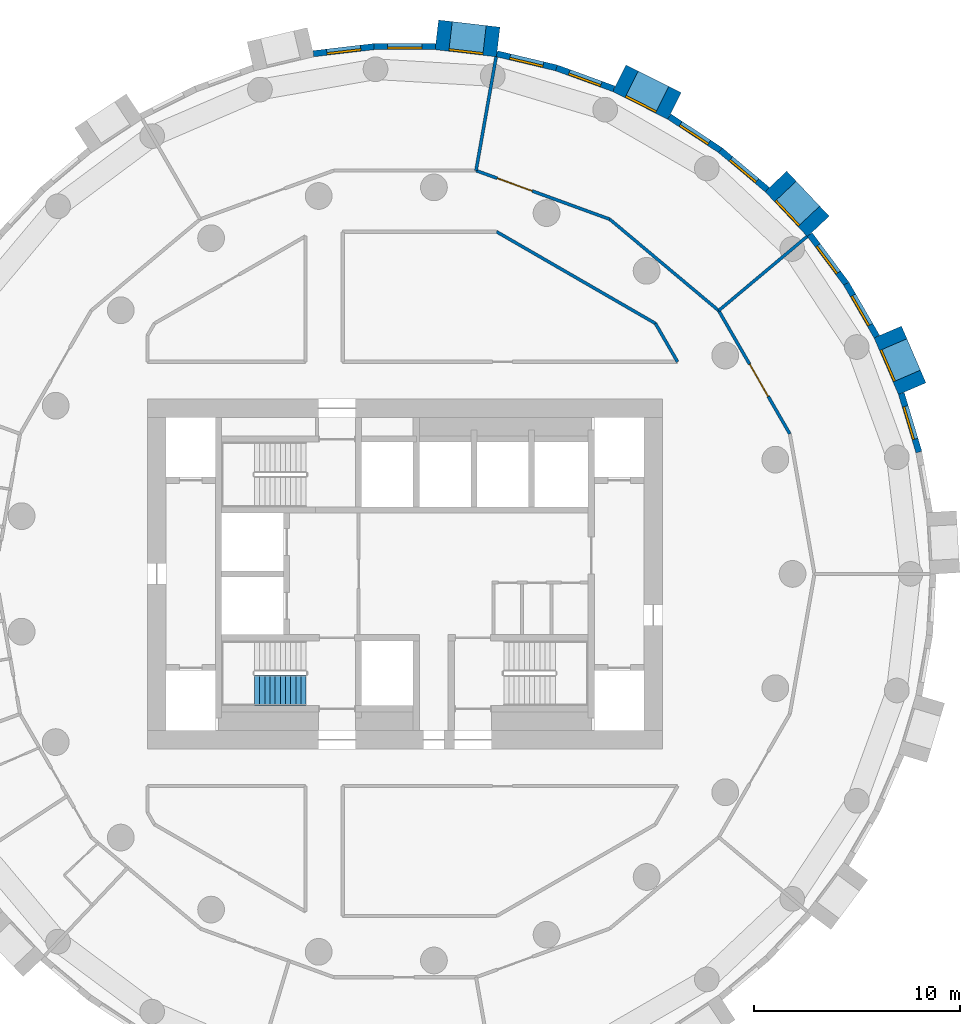
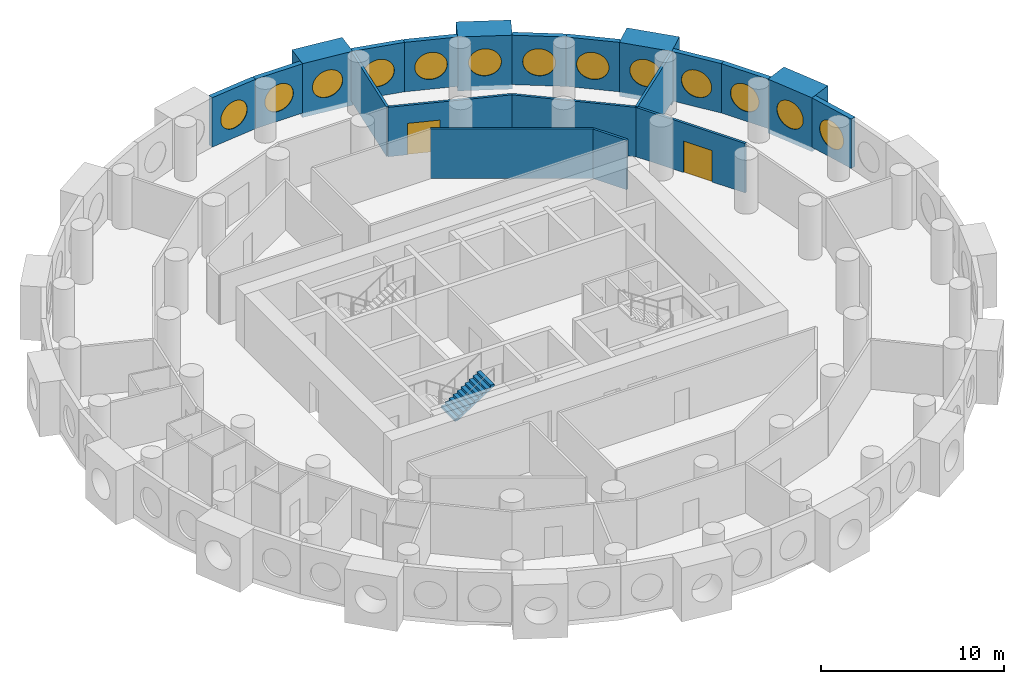
# One storey, part 7 of 9: 20 walls, 13 windows, 2 doors, 1 stair flight, 15 openings, 1 element without a shape of its own.
"""IFC4 building model written with IfcOpenShell, lengths in metres."""

from ifc_helpers import new_model, si_unit, direction, frame, frame_2d, origin, origin_2d, place, context, subcontext, project, spatial, polyline, rectangle, circle, outline, extrude, material, layer, layer_set, type_object, element, fill, aggregate, save


model = new_model("IFC4")

# Units and contexts
model_context = context("Model", 3, precision=1e-05, world=origin(), true_north=direction((0.0, 1.0)))
body_context = subcontext(model_context, "Body", "Model", "MODEL_VIEW")
ifc_project = project(units=[si_unit("LENGTHUNIT", "METRE"), si_unit("AREAUNIT", "SQUARE_METRE"), si_unit("VOLUMEUNIT", "CUBIC_METRE"), si_unit("PLANEANGLEUNIT", "RADIAN"), si_unit("MASSUNIT", "GRAM", prefix="KILO")], contexts=[model_context])

# Site, building, storey
site_placement = place(None, origin())
site = spatial("IfcSite", under=ifc_project, at=site_placement, CompositionType="ELEMENT")
building_placement = place(site_placement, origin())
building = spatial("IfcBuilding", under=site, at=building_placement, Name="Tracery Tower", CompositionType="ELEMENT")
storey_placement = place(building_placement, frame((0.0, 0.0, 201.60009765625)))
storey = spatial("IfcBuildingStorey", under=building, at=storey_placement, Name="L52", CompositionType="ELEMENT", Elevation=201.60009765625)

# Wall, opening, window
ifc_material_1 = material(Name="Precast concrete C50/60", Category="concrete")
ifc_layer_1 = layer(ifc_material_1, 1.449951171875)
ifc_layer_set_1 = layer_set([ifc_layer_1], Name="Deep-set bay unit 3000 x 3600, slab edge 300")
wall_type_1 = type_object("IfcWallType", Name="Deep-set bay unit 3000 x 3600, slab edge 300", PredefinedType="ELEMENTEDWALL", material=ifc_layer_set_1)
wall_1_placement = place(storey_placement, frame((24.632080078125, 8.99169921875, -0.300048828125), z_axis=(0.0, 0.0, 1.0), x_axis=(-0.396079003245, 0.918216435917, 0.0)))
wall_1 = element("IfcWall", 1, at=wall_1_placement, inside=storey, type_object=wall_type_1, Name="Deep-set bay unit 4 at L52", PredefinedType="ELEMENTEDWALL", context=body_context, shape_type="SweptSolid", body=[
    extrude(rectangle(XDim=3.0, YDim=1.449951171875, at=frame_2d((1.5, 0.0))), origin(), (0.0, 0.0, 1.0), 3.599853515625),
])
opening_1_placement = place(wall_1_placement, frame((1.5, 0.0, 1.85009765625)))
opening_1 = element("IfcOpeningElement", 2, at=opening_1_placement, cuts=wall_1, Name="Opening WN1", PredefinedType="OPENING", context=body_context, shape_type="SweptSolid", body=[
    extrude(circle(Radius=0.9000244140625, at=origin_2d()), frame((0.0, 0.73486328125, 0.0), z_axis=(0.0, -1.0, 0.0), x_axis=(1.0, 0.0, 0.0)), (0.0, 0.0, 1.0), 1.469970703125),
])
ifc_material_2 = material(Name="Aluminium frame with tinted double glazing", Category="aluminium")
window_type = type_object("IfcWindowType", Name="Round window 1800", PartitioningType="SINGLE_PANEL", PredefinedType="WINDOW", material=ifc_material_2)
window_1_placement = place(opening_1_placement, origin())
window_1 = element("IfcWindow", 3, at=window_1_placement, inside=storey, type_object=window_type, Name="Round window 4 at L52", OverallHeight=1.800048828125, OverallWidth=1.800048828125, PartitioningType="SINGLE_PANEL", PredefinedType="WINDOW", context=body_context, shape_type="SweptSolid", body=[
    extrude(circle(Radius=0.9000244140625, at=origin_2d()), frame((0.0, 0.69482421875, 0.0), z_axis=(0.0, -1.0, 0.0), x_axis=(1.0, 0.0, 0.0)), (0.0, 0.0, 1.0), 0.10009765625),
])
fill(opening_1, window_1)

wall_2_placement = place(storey_placement, frame((20.0712890625, 16.8740234375, -0.300048828125), z_axis=(0.0, 0.0, 1.0), x_axis=(-0.686217177108, 0.727396718334, 0.0)))
wall_2 = element("IfcWall", 4, at=wall_2_placement, inside=storey, type_object=wall_type_1, Name="Deep-set bay unit 7 at L52", PredefinedType="ELEMENTEDWALL", context=body_context, shape_type="SweptSolid", body=[
    extrude(rectangle(XDim=3.0, YDim=1.449951171875, at=frame_2d((1.5, 0.0))), origin(), (0.0, 0.0, 1.0), 3.599853515625),
])
opening_2_placement = place(wall_2_placement, frame((1.5, 0.0, 1.85009765625)))
opening_2 = element("IfcOpeningElement", 5, at=opening_2_placement, cuts=wall_2, Name="Opening WN1", PredefinedType="OPENING", context=body_context, shape_type="SweptSolid", body=[
    extrude(circle(Radius=0.9000244140625, at=origin_2d()), frame((0.0, 0.73486328125, 0.0), z_axis=(0.0, -1.0, 0.0), x_axis=(1.0, 0.0, 0.0)), (0.0, 0.0, 1.0), 1.469970703125),
])
window_2_placement = place(opening_2_placement, origin())
window_2 = element("IfcWindow", 6, at=window_2_placement, inside=storey, type_object=window_type, Name="Round window 7 at L52", OverallHeight=1.800048828125, OverallWidth=1.800048828125, PartitioningType="SINGLE_PANEL", PredefinedType="WINDOW", context=body_context, shape_type="SweptSolid", body=[
    extrude(circle(Radius=0.9000244140625, at=origin_2d()), frame((0.0, 0.69482421875, 0.0), z_axis=(0.0, -1.0, 0.0), x_axis=(1.0, 0.0, 0.0)), (0.0, 0.0, 1.0), 0.10009765625),
])
fill(opening_2, window_2)

wall_3_placement = place(storey_placement, frame((13.089599609375, 22.72119140625, -0.300048828125), z_axis=(0.0, 0.0, 1.0), x_axis=(-0.893628249713, 0.448807922518, 0.0)))
wall_3 = element("IfcWall", 7, at=wall_3_placement, inside=storey, type_object=wall_type_1, Name="Deep-set bay unit 10 at L52", PredefinedType="ELEMENTEDWALL", context=body_context, shape_type="SweptSolid", body=[
    extrude(rectangle(XDim=3.0, YDim=1.449951171875, at=frame_2d((1.5, 0.0))), origin(), (0.0, 0.0, 1.0), 3.599853515625),
])
opening_3_placement = place(wall_3_placement, frame((1.5, 0.0, 1.85009765625)))
opening_3 = element("IfcOpeningElement", 8, at=opening_3_placement, cuts=wall_3, Name="Opening WN1", PredefinedType="OPENING", context=body_context, shape_type="SweptSolid", body=[
    extrude(circle(Radius=0.9000244140625, at=origin_2d()), frame((0.0, 0.73486328125, 0.0), z_axis=(0.0, -1.0, 0.0), x_axis=(1.0, 0.0, 0.0)), (0.0, 0.0, 1.0), 1.469970703125),
])
window_3_placement = place(opening_3_placement, origin())
window_3 = element("IfcWindow", 9, at=window_3_placement, inside=storey, type_object=window_type, Name="Round window 10 at L52", OverallHeight=1.800048828125, OverallWidth=1.800048828125, PartitioningType="SINGLE_PANEL", PredefinedType="WINDOW", context=body_context, shape_type="SweptSolid", body=[
    extrude(circle(Radius=0.9000244140625, at=origin_2d()), frame((0.0, 0.69482421875, 0.0), z_axis=(0.0, -1.0, 0.0), x_axis=(1.0, 0.0, 0.0)), (0.0, 0.0, 1.0), 0.10009765625),
])
fill(opening_3, window_3)

wall_4_placement = place(storey_placement, frame((4.529052734375, 25.827880859375, -0.300048828125), z_axis=(0.0, 0.0, 1.0), x_axis=(-0.9932342274, 0.116128246006, 0.0)))
wall_4 = element("IfcWall", 10, at=wall_4_placement, inside=storey, type_object=wall_type_1, Name="Deep-set bay unit 13 at L52", PredefinedType="ELEMENTEDWALL", context=body_context, shape_type="SweptSolid", body=[
    extrude(rectangle(XDim=3.0, YDim=1.449951171875, at=frame_2d((1.5, 0.0))), origin(), (0.0, 0.0, 1.0), 3.599853515625),
])
opening_4_placement = place(wall_4_placement, frame((1.5, 0.0, 1.85009765625)))
opening_4 = element("IfcOpeningElement", 11, at=opening_4_placement, cuts=wall_4, Name="Opening WN1", PredefinedType="OPENING", context=body_context, shape_type="SweptSolid", body=[
    extrude(circle(Radius=0.9000244140625, at=origin_2d()), frame((0.0, 0.73486328125, 0.0), z_axis=(0.0, -1.0, 0.0), x_axis=(1.0, 0.0, 0.0)), (0.0, 0.0, 1.0), 1.469970703125),
])
window_4_placement = place(opening_4_placement, origin())
window_4 = element("IfcWindow", 12, at=window_4_placement, inside=storey, type_object=window_type, Name="Round window 13 at L52", OverallHeight=1.800048828125, OverallWidth=1.800048828125, PartitioningType="SINGLE_PANEL", PredefinedType="WINDOW", context=body_context, shape_type="SweptSolid", body=[
    extrude(circle(Radius=0.9000244140625, at=origin_2d()), frame((0.0, 0.69482421875, 0.0), z_axis=(0.0, -1.0, 0.0), x_axis=(1.0, 0.0, 0.0)), (0.0, 0.0, 1.0), 0.10009765625),
])
fill(opening_4, window_4)

ifc_material_3 = material(Name="Precast concrete C50/60", Category="concrete")
ifc_layer_2 = layer(ifc_material_3, 0.300048828125)
ifc_layer_set_2 = layer_set([ifc_layer_2], Name="Facade panel 3000 x 3300")
wall_type_2 = type_object("IfcWallType", Name="Facade panel 3000 x 3300", PredefinedType="SOLIDWALL", material=ifc_layer_set_2)
wall_5_placement = place(storey_placement, frame((24.9560546875, 5.914794921875, 0.0), z_axis=(0.0, 0.0, 1.0), x_axis=(-0.286782750849, 0.957995643944, 0.0)))
wall_5 = element("IfcWall", 13, at=wall_5_placement, inside=storey, type_object=wall_type_2, Name="Facade panel 3 at L52", PredefinedType="SOLIDWALL", context=body_context, shape_type="SweptSolid", body=[
    extrude(rectangle(XDim=2.97265625, YDim=0.300048828125, at=frame_2d((1.486328125, 0.0))), origin(), (0.0, 0.0, 1.0), 3.2998046875),
])
opening_5_placement = place(wall_5_placement, frame((1.486328125, 0.0, 1.5498046875)))
opening_5 = element("IfcOpeningElement", 14, at=opening_5_placement, cuts=wall_5, Name="Opening WN1", PredefinedType="OPENING", context=body_context, shape_type="SweptSolid", body=[
    extrude(circle(Radius=0.9000244140625, at=origin_2d()), frame((0.0, 0.159912109375, 0.0), z_axis=(0.0, -1.0, 0.0), x_axis=(1.0, 0.0, 0.0)), (0.0, 0.0, 1.0), 0.320068359375),
])
window_5_placement = place(opening_5_placement, origin())
window_5 = element("IfcWindow", 15, at=window_5_placement, inside=storey, type_object=window_type, Name="Round window 3 at L52", OverallHeight=1.800048828125, OverallWidth=1.800048828125, PartitioningType="SINGLE_PANEL", PredefinedType="WINDOW", context=body_context, shape_type="SweptSolid", body=[
    extrude(circle(Radius=0.9000244140625, at=origin_2d()), frame((0.0, 0.1201171875, 0.0), z_axis=(0.0, -1.0, 0.0), x_axis=(1.0, 0.0, 0.0)), (0.0, 0.0, 1.0), 0.10009765625),
])
fill(opening_5, window_5)

wall_6_placement = place(storey_placement, frame((22.91455078125, 11.518798828125, 0.0), z_axis=(0.0, 0.0, 1.0), x_axis=(-0.499954672104, 0.866051572276, 0.0)))
wall_6 = element("IfcWall", 16, at=wall_6_placement, inside=storey, type_object=wall_type_2, Name="Facade panel 5 at L52", PredefinedType="SOLIDWALL", context=body_context, shape_type="SweptSolid", body=[
    extrude(rectangle(XDim=2.972900390625, YDim=0.300048828125, at=frame_2d((1.486328125, 0.0))), origin(), (0.0, 0.0, 1.0), 3.2998046875),
])
opening_6_placement = place(wall_6_placement, frame((1.486328125, 0.0, 1.5498046875)))
opening_6 = element("IfcOpeningElement", 17, at=opening_6_placement, cuts=wall_6, Name="Opening WN1", PredefinedType="OPENING", context=body_context, shape_type="SweptSolid", body=[
    extrude(circle(Radius=0.9000244140625, at=origin_2d()), frame((0.0, 0.159912109375, 0.0), z_axis=(0.0, -1.0, 0.0), x_axis=(1.0, 0.0, 0.0)), (0.0, 0.0, 1.0), 0.320068359375),
])
window_6_placement = place(opening_6_placement, origin())
window_6 = element("IfcWindow", 18, at=window_6_placement, inside=storey, type_object=window_type, Name="Round window 5 at L52", OverallHeight=1.800048828125, OverallWidth=1.800048828125, PartitioningType="SINGLE_PANEL", PredefinedType="WINDOW", context=body_context, shape_type="SweptSolid", body=[
    extrude(circle(Radius=0.9000244140625, at=origin_2d()), frame((0.0, 0.1201171875, 0.0), z_axis=(0.0, -1.0, 0.0), x_axis=(1.0, 0.0, 0.0)), (0.0, 0.0, 1.0), 0.10009765625),
])
fill(opening_6, window_6)

wall_7_placement = place(storey_placement, frame((21.42822265625, 14.093505859375, 0.0), z_axis=(0.0, 0.0, 1.0), x_axis=(-0.597197580538, 0.80209416517, 0.0)))
wall_7 = element("IfcWall", 19, at=wall_7_placement, inside=storey, type_object=wall_type_2, Name="Facade panel 6 at L52", PredefinedType="SOLIDWALL", context=body_context, shape_type="SweptSolid", body=[
    extrude(rectangle(XDim=2.972900390625, YDim=0.300048828125, at=frame_2d((1.486328125, 0.0))), origin(), (0.0, 0.0, 1.0), 3.2998046875),
])
opening_7_placement = place(wall_7_placement, frame((1.486328125, 0.0, 1.5498046875)))
opening_7 = element("IfcOpeningElement", 20, at=opening_7_placement, cuts=wall_7, Name="Opening WN1", PredefinedType="OPENING", context=body_context, shape_type="SweptSolid", body=[
    extrude(circle(Radius=0.9000244140625, at=origin_2d()), frame((0.0, 0.159912109375, 0.0), z_axis=(0.0, -1.0, 0.0), x_axis=(1.0, 0.0, 0.0)), (0.0, 0.0, 1.0), 0.320068359375),
])
window_7_placement = place(opening_7_placement, origin())
window_7 = element("IfcWindow", 21, at=window_7_placement, inside=storey, type_object=window_type, Name="Round window 6 at L52", OverallHeight=1.800048828125, OverallWidth=1.800048828125, PartitioningType="SINGLE_PANEL", PredefinedType="WINDOW", context=body_context, shape_type="SweptSolid", body=[
    extrude(circle(Radius=0.9000244140625, at=origin_2d()), frame((0.0, 0.1201171875, 0.0), z_axis=(0.0, -1.0, 0.0), x_axis=(1.0, 0.0, 0.0)), (0.0, 0.0, 1.0), 0.10009765625),
])
fill(opening_7, window_7)

wall_8_placement = place(storey_placement, frame((17.593017578125, 18.661376953125, 0.0), z_axis=(0.0, 0.0, 1.0), x_axis=(-0.766008913364, 0.642829950023, 0.0)))
wall_8 = element("IfcWall", 22, at=wall_8_placement, inside=storey, type_object=wall_type_2, Name="Facade panel 8 at L52", PredefinedType="SOLIDWALL", context=body_context, shape_type="SweptSolid", body=[
    extrude(rectangle(XDim=2.972900390625, YDim=0.300048828125, at=frame_2d((1.486328125, 0.0))), origin(), (0.0, 0.0, 1.0), 3.2998046875),
])
opening_8_placement = place(wall_8_placement, frame((1.486328125, 0.0, 1.5498046875)))
opening_8 = element("IfcOpeningElement", 23, at=opening_8_placement, cuts=wall_8, Name="Opening WN1", PredefinedType="OPENING", context=body_context, shape_type="SweptSolid", body=[
    extrude(circle(Radius=0.9000244140625, at=origin_2d()), frame((0.0, 0.159912109375, 0.0), z_axis=(0.0, -1.0, 0.0), x_axis=(1.0, 0.0, 0.0)), (0.0, 0.0, 1.0), 0.320068359375),
])
window_8_placement = place(opening_8_placement, origin())
window_8 = element("IfcWindow", 24, at=window_8_placement, inside=storey, type_object=window_type, Name="Round window 8 at L52", OverallHeight=1.800048828125, OverallWidth=1.800048828125, PartitioningType="SINGLE_PANEL", PredefinedType="WINDOW", context=body_context, shape_type="SweptSolid", body=[
    extrude(circle(Radius=0.9000244140625, at=origin_2d()), frame((0.0, 0.1201171875, 0.0), z_axis=(0.0, -1.0, 0.0), x_axis=(1.0, 0.0, 0.0)), (0.0, 0.0, 1.0), 0.10009765625),
])
fill(opening_8, window_8)

wall_9_placement = place(storey_placement, frame((15.315673828125, 20.572509765625, 0.0), z_axis=(0.0, 0.0, 1.0), x_axis=(-0.835508361394, 0.54947773207, 0.0)))
wall_9 = element("IfcWall", 25, at=wall_9_placement, inside=storey, type_object=wall_type_2, Name="Facade panel 9 at L52", PredefinedType="SOLIDWALL", context=body_context, shape_type="SweptSolid", body=[
    extrude(rectangle(XDim=2.972900390625, YDim=0.300048828125, at=frame_2d((1.486328125, 0.0))), origin(), (0.0, 0.0, 1.0), 3.2998046875),
])
opening_9_placement = place(wall_9_placement, frame((1.486328125, 0.0, 1.5498046875)))
opening_9 = element("IfcOpeningElement", 26, at=opening_9_placement, cuts=wall_9, Name="Opening WN1", PredefinedType="OPENING", context=body_context, shape_type="SweptSolid", body=[
    extrude(circle(Radius=0.9000244140625, at=origin_2d()), frame((0.0, 0.159912109375, 0.0), z_axis=(0.0, -1.0, 0.0), x_axis=(1.0, 0.0, 0.0)), (0.0, 0.0, 1.0), 0.320068359375),
])
window_9_placement = place(opening_9_placement, origin())
window_9 = element("IfcWindow", 27, at=window_9_placement, inside=storey, type_object=window_type, Name="Round window 9 at L52", OverallHeight=1.800048828125, OverallWidth=1.800048828125, PartitioningType="SINGLE_PANEL", PredefinedType="WINDOW", context=body_context, shape_type="SweptSolid", body=[
    extrude(circle(Radius=0.9000244140625, at=origin_2d()), frame((0.0, 0.1201171875, 0.0), z_axis=(0.0, -1.0, 0.0), x_axis=(1.0, 0.0, 0.0)), (0.0, 0.0, 1.0), 0.10009765625),
])
fill(opening_9, window_9)

wall_10_placement = place(storey_placement, frame((10.1494140625, 23.55322265625, 0.0), z_axis=(0.0, 0.0, 1.0), x_axis=(-0.939690282133, 0.342026568652, 0.0)))
wall_10 = element("IfcWall", 28, at=wall_10_placement, inside=storey, type_object=wall_type_2, Name="Facade panel 11 at L52", PredefinedType="SOLIDWALL", context=body_context, shape_type="SweptSolid", body=[
    extrude(rectangle(XDim=2.972900390625, YDim=0.300048828125, at=frame_2d((1.486328125, 0.0))), origin(), (0.0, 0.0, 1.0), 3.2998046875),
])
opening_10_placement = place(wall_10_placement, frame((1.486328125, 0.0, 1.5498046875)))
opening_10 = element("IfcOpeningElement", 29, at=opening_10_placement, cuts=wall_10, Name="Opening WN1", PredefinedType="OPENING", context=body_context, shape_type="SweptSolid", body=[
    extrude(circle(Radius=0.9000244140625, at=origin_2d()), frame((0.0, 0.159912109375, 0.0), z_axis=(0.0, -1.0, 0.0), x_axis=(1.0, 0.0, 0.0)), (0.0, 0.0, 1.0), 0.320068359375),
])
window_10_placement = place(opening_10_placement, origin())
window_10 = element("IfcWindow", 30, at=window_10_placement, inside=storey, type_object=window_type, Name="Round window 11 at L52", OverallHeight=1.800048828125, OverallWidth=1.800048828125, PartitioningType="SINGLE_PANEL", PredefinedType="WINDOW", context=body_context, shape_type="SweptSolid", body=[
    extrude(circle(Radius=0.9000244140625, at=origin_2d()), frame((0.0, 0.1201171875, 0.0), z_axis=(0.0, -1.0, 0.0), x_axis=(1.0, 0.0, 0.0)), (0.0, 0.0, 1.0), 0.10009765625),
])
fill(opening_10, window_10)

wall_11_placement = place(storey_placement, frame((7.355712890625, 24.570068359375, 0.0), z_axis=(0.0, 0.0, 1.0), x_axis=(-0.973045378923, 0.230613725862, 0.0)))
wall_11 = element("IfcWall", 31, at=wall_11_placement, inside=storey, type_object=wall_type_2, Name="Facade panel 12 at L52", PredefinedType="SOLIDWALL", context=body_context, shape_type="SweptSolid", body=[
    extrude(rectangle(XDim=2.97265625, YDim=0.300048828125, at=frame_2d((1.486328125, 0.0))), origin(), (0.0, 0.0, 1.0), 3.2998046875),
])
opening_11_placement = place(wall_11_placement, frame((1.486328125, 0.0, 1.5498046875)))
opening_11 = element("IfcOpeningElement", 32, at=opening_11_placement, cuts=wall_11, Name="Opening WN1", PredefinedType="OPENING", context=body_context, shape_type="SweptSolid", body=[
    extrude(circle(Radius=0.9000244140625, at=origin_2d()), frame((0.0, 0.159912109375, 0.0), z_axis=(0.0, -1.0, 0.0), x_axis=(1.0, 0.0, 0.0)), (0.0, 0.0, 1.0), 0.320068359375),
])
window_11_placement = place(opening_11_placement, origin())
window_11 = element("IfcWindow", 33, at=window_11_placement, inside=storey, type_object=window_type, Name="Round window 12 at L52", OverallHeight=1.800048828125, OverallWidth=1.800048828125, PartitioningType="SINGLE_PANEL", PredefinedType="WINDOW", context=body_context, shape_type="SweptSolid", body=[
    extrude(circle(Radius=0.9000244140625, at=origin_2d()), frame((0.0, 0.1201171875, 0.0), z_axis=(0.0, -1.0, 0.0), x_axis=(1.0, 0.0, 0.0)), (0.0, 0.0, 1.0), 0.10009765625),
])
fill(opening_11, window_11)

wall_12_placement = place(storey_placement, frame((1.481689453125, 25.60400390625, 0.0), z_axis=(0.0, 0.0, 1.0), x_axis=(-1.0, 0.0, 0.0)))
wall_12 = element("IfcWall", 34, at=wall_12_placement, inside=storey, type_object=wall_type_2, Name="Facade panel 14 at L52", PredefinedType="SOLIDWALL", context=body_context, shape_type="SweptSolid", body=[
    extrude(rectangle(XDim=2.972900390625, YDim=0.300048828125, at=frame_2d((1.486328125, 0.0))), origin(), (0.0, 0.0, 1.0), 3.2998046875),
])
opening_12_placement = place(wall_12_placement, frame((1.486328125, 0.0, 1.5498046875)))
opening_12 = element("IfcOpeningElement", 35, at=opening_12_placement, cuts=wall_12, Name="Opening WN1", PredefinedType="OPENING", context=body_context, shape_type="SweptSolid", body=[
    extrude(circle(Radius=0.9000244140625, at=origin_2d()), frame((0.0, 0.159912109375, 0.0), z_axis=(0.0, -1.0, 0.0), x_axis=(1.0, 0.0, 0.0)), (0.0, 0.0, 1.0), 0.320068359375),
])
window_12_placement = place(opening_12_placement, origin())
window_12 = element("IfcWindow", 36, at=window_12_placement, inside=storey, type_object=window_type, Name="Round window 14 at L52", OverallHeight=1.800048828125, OverallWidth=1.800048828125, PartitioningType="SINGLE_PANEL", PredefinedType="WINDOW", context=body_context, shape_type="SweptSolid", body=[
    extrude(circle(Radius=0.9000244140625, at=origin_2d()), frame((0.0, 0.1201171875, 0.0), z_axis=(0.0, -1.0, 0.0), x_axis=(1.0, 0.0, 0.0)), (0.0, 0.0, 1.0), 0.10009765625),
])
fill(opening_12, window_12)

wall_13_placement = place(storey_placement, frame((-1.4912109375, 25.60400390625, 0.0), z_axis=(0.0, 0.0, 1.0), x_axis=(-0.993245010522, -0.1160359818, 0.0)))
wall_13 = element("IfcWall", 37, at=wall_13_placement, inside=storey, type_object=wall_type_2, Name="Facade panel 15 at L52", PredefinedType="SOLIDWALL", context=body_context, shape_type="SweptSolid", body=[
    extrude(rectangle(XDim=2.972900390625, YDim=0.300048828125, at=frame_2d((1.486328125, 0.0))), origin(), (0.0, 0.0, 1.0), 3.2998046875),
])
opening_13_placement = place(wall_13_placement, frame((1.486328125, 0.0, 1.5498046875)))
opening_13 = element("IfcOpeningElement", 38, at=opening_13_placement, cuts=wall_13, Name="Opening WN1", PredefinedType="OPENING", context=body_context, shape_type="SweptSolid", body=[
    extrude(circle(Radius=0.9000244140625, at=origin_2d()), frame((0.0, 0.159912109375, 0.0), z_axis=(0.0, -1.0, 0.0), x_axis=(1.0, 0.0, 0.0)), (0.0, 0.0, 1.0), 0.320068359375),
])
window_13_placement = place(opening_13_placement, origin())
window_13 = element("IfcWindow", 39, at=window_13_placement, inside=storey, type_object=window_type, Name="Round window 15 at L52", OverallHeight=1.800048828125, OverallWidth=1.800048828125, PartitioningType="SINGLE_PANEL", PredefinedType="WINDOW", context=body_context, shape_type="SweptSolid", body=[
    extrude(circle(Radius=0.9000244140625, at=origin_2d()), frame((0.0, 0.1201171875, 0.0), z_axis=(0.0, -1.0, 0.0), x_axis=(1.0, 0.0, 0.0)), (0.0, 0.0, 1.0), 0.10009765625),
])
fill(opening_13, window_13)

# Walls
ifc_material_4 = material(Name="Plasterboard on steel studs", Category="steel")
ifc_layer_3 = layer(ifc_material_4, 0.14990234375)
ifc_layer_set_3 = layer_set([ifc_layer_3], Name="Partition 150 acoustic unit wall")
wall_type_3 = type_object("IfcWallType", Name="Partition 150 acoustic unit wall", PredefinedType="PARTITIONING", material=ifc_layer_set_3)
wall_14_placement = place(storey_placement, frame((15.235107421875, 12.783935546875, 0.0), z_axis=(0.0, 0.0, 1.0), x_axis=(0.76609059793, 0.642732600514, 0.0)))
element("IfcWall", 40, at=wall_14_placement, inside=storey, type_object=wall_type_3, Name="Unit wall RB8-040", PredefinedType="PARTITIONING", context=body_context, shape_type="SweptSolid", body=[
    extrude(rectangle(XDim=5.60888671875, YDim=0.14990234375, at=frame_2d((2.804443359375, 0.0))), origin(), (0.0, 0.0, 1.0), 3.2998046875),
])
wall_15_placement = place(storey_placement, frame((3.452880859375, 19.5859375, 0.0), z_axis=(0.0, 0.0, 1.0), x_axis=(0.17382754149, 0.984776109489, 0.0)))
element("IfcWall", 41, at=wall_15_placement, inside=storey, type_object=wall_type_3, Name="Unit wall RB8-042", PredefinedType="PARTITIONING", context=body_context, shape_type="SweptSolid", body=[
    extrude(rectangle(XDim=5.609619140625, YDim=0.14990234375, at=frame_2d((2.8046875, 0.0))), origin(), (0.0, 0.0, 1.0), 3.2998046875),
])
ifc_material_5 = material(Name="Plasterboard on steel studs", Category="steel")
ifc_layer_4 = layer(ifc_material_5, 0.14990234375)
ifc_layer_set_4 = layer_set([ifc_layer_4], Name="Partition 150 corridor wall")
wall_type_4 = type_object("IfcWallType", Name="Partition 150 corridor wall", PredefinedType="PARTITIONING", material=ifc_layer_set_4)
wall_16_placement = place(storey_placement, frame((12.162109375, 12.162109375, 0.0), z_axis=(0.0, 0.0, 1.0), x_axis=(0.499961633463, -0.866047553582, 0.0)))
element("IfcWall", 42, at=wall_16_placement, inside=storey, type_object=wall_type_4, Name="Corridor wall RB8-005", PredefinedType="PARTITIONING", context=body_context, shape_type="SweptSolid", body=[
    extrude(rectangle(XDim=2.150146484375, YDim=0.14990234375, at=frame_2d((1.0751953125, 0.0))), origin(), (0.0, 0.0, 1.0), 3.2998046875),
])

# Wall, opening, door
wall_17_placement = place(storey_placement, frame((15.235107421875, 12.783935546875, 0.0), z_axis=(0.0, 0.0, 1.0), x_axis=(0.499914202267, -0.866074933462, 0.0)))
wall_17 = element("IfcWall", 43, at=wall_17_placement, inside=storey, type_object=wall_type_4, Name="Corridor wall RB8-007", PredefinedType="PARTITIONING", context=body_context, shape_type="SweptSolid", body=[
    extrude(rectangle(XDim=6.906982421875, YDim=0.14990234375, at=frame_2d((3.45361328125, 0.0))), origin(), (0.0, 0.0, 1.0), 3.2998046875),
])
opening_14_placement = place(wall_17_placement, frame((3.00390625, 0.0, 0.0)))
opening_14 = element("IfcOpeningElement", 44, at=opening_14_placement, cuts=wall_17, Name="Opening RB8-05", PredefinedType="OPENING", context=body_context, shape_type="SweptSolid", body=[
    extrude(rectangle(XDim=1.800048828125, YDim=2.10009765625, at=frame_2d((0.89990234375, 1.050048828125))), frame((0.0, 0.074951171875, 0.0), z_axis=(0.0, -1.0, 0.0), x_axis=(1.0, 0.0, 0.0)), (0.0, 0.0, 1.0), 0.14990234375),
])
ifc_material_6 = material(Name="Timber door leaf", Category="wood")
door_type = type_object("IfcDoorType", Name="Door double lounge 1800", OperationType="NOTDEFINED", PredefinedType="DOOR", material=ifc_material_6)
door_1_placement = place(opening_14_placement, origin())
door_1 = element("IfcDoor", 45, at=door_1_placement, inside=storey, type_object=door_type, Name="Double lounge door RB8-05", OperationType="DOUBLE_DOOR_SINGLE_SWING", OverallHeight=2.10009765625, OverallWidth=1.800048828125, PredefinedType="DOOR", context=body_context, shape_type="SweptSolid", body=[
    extrude(rectangle(XDim=1.800048828125, YDim=2.10009765625, at=frame_2d((0.89990234375, 1.050048828125))), frame((0.0, 0.02490234375, 0.0), z_axis=(0.0, -1.0, 0.0), x_axis=(1.0, 0.0, 0.0)), (0.0, 0.0, 1.0), 0.050048828125),
])
fill(opening_14, door_1)

# Walls
wall_18_placement = place(storey_placement, frame((9.943359375, 17.22216796875, 0.0), z_axis=(0.0, 0.0, 1.0), x_axis=(0.766192104565, -0.642611592567, 0.0)))
element("IfcWall", 46, at=wall_18_placement, inside=storey, type_object=wall_type_4, Name="Corridor wall RB8-009", PredefinedType="PARTITIONING", context=body_context, shape_type="SweptSolid", body=[
    extrude(rectangle(XDim=6.906494140625, YDim=0.14990234375, at=frame_2d((3.453125, 0.0))), origin(), (0.0, 0.0, 1.0), 3.2998046875),
])
wall_19_placement = place(storey_placement, frame((4.451904296875, 16.614013671875, 0.0), z_axis=(0.0, 0.0, 1.0), x_axis=(0.866005203721, -0.500034985904, 0.0)))
element("IfcWall", 47, at=wall_19_placement, inside=storey, type_object=wall_type_4, Name="Corridor wall RB8-015", PredefinedType="PARTITIONING", context=body_context, shape_type="SweptSolid", body=[
    extrude(rectangle(XDim=8.903076171875, YDim=0.14990234375, at=frame_2d((4.45166015625, 0.0))), origin(), (0.0, 0.0, 1.0), 3.2998046875),
])

# Wall, opening, door
wall_20_placement = place(storey_placement, frame((3.452880859375, 19.5859375, 0.0), z_axis=(0.0, 0.0, 1.0), x_axis=(0.939672634566, -0.342075050021, 0.0)))
wall_20 = element("IfcWall", 48, at=wall_20_placement, inside=storey, type_object=wall_type_4, Name="Corridor wall RB8-018", PredefinedType="PARTITIONING", context=body_context, shape_type="SweptSolid", body=[
    extrude(rectangle(XDim=6.907958984375, YDim=0.14990234375, at=frame_2d((3.4541015625, 0.0))), origin(), (0.0, 0.0, 1.0), 3.2998046875),
])
opening_15_placement = place(wall_20_placement, frame((1.10400390625, 0.0, 0.0)))
opening_15 = element("IfcOpeningElement", 49, at=opening_15_placement, cuts=wall_20, Name="Opening RB8-06", PredefinedType="OPENING", context=body_context, shape_type="SweptSolid", body=[
    extrude(rectangle(XDim=1.800048828125, YDim=2.10009765625, at=frame_2d((0.89990234375, 1.050048828125))), frame((0.0, 0.074951171875, 0.0), z_axis=(0.0, -1.0, 0.0), x_axis=(1.0, 0.0, 0.0)), (0.0, 0.0, 1.0), 0.14990234375),
])
door_2_placement = place(opening_15_placement, origin())
door_2 = element("IfcDoor", 50, at=door_2_placement, inside=storey, type_object=door_type, Name="Double lounge door RB8-06", OperationType="DOUBLE_DOOR_SINGLE_SWING", OverallHeight=2.10009765625, OverallWidth=1.800048828125, PredefinedType="DOOR", context=body_context, shape_type="SweptSolid", body=[
    extrude(rectangle(XDim=1.800048828125, YDim=2.10009765625, at=frame_2d((0.89990234375, 1.050048828125))), frame((0.0, 0.02490234375, 0.0), z_axis=(0.0, -1.0, 0.0), x_axis=(1.0, 0.0, 0.0)), (0.0, 0.0, 1.0), 0.050048828125),
])
fill(opening_15, door_2)

# Stair, stair flight
ifc_material_7 = material(Name="Concrete C32/40", Category="concrete")
stair_type = type_object("IfcStairType", Name="Core stair 22 risers", PredefinedType="HALF_TURN_STAIR", material=ifc_material_7)
stair_placement = place(storey_placement, origin())
stair = element("IfcStair", 51, at=stair_placement, inside=storey, type_object=stair_type, Name="L52 stair ST1", PredefinedType="HALF_TURN_STAIR")
ifc_material_8 = material(Name="Concrete C32/40", Category="concrete")
stair_flight_type = type_object("IfcStairFlightType", Name="Core stair flight 11 risers", PredefinedType="STRAIGHT", material=ifc_material_8)
stair_flight_placement = place(storey_placement, frame((-7.300048828125, -5.64990234375, 1.7998046875), z_axis=(0.0, 0.0, 1.0), x_axis=(1.0, 0.0, 0.0)))
stair_flight = element("IfcStairFlight", 52, at=stair_flight_placement, type_object=stair_flight_type, Name="ST1 flight 2", NumberOfRisers=11, NumberOfTreads=10, PredefinedType="STRAIGHT", RiserHeight=0.163636364, TreadLength=0.25, context=body_context, shape_type="SweptSolid", body=[
    extrude(outline(polyline([(0.0, 0.0), (0.0, 0.002685546875), (0.0, 0.00537109375), (0.0, 0.008056640625), (0.0, 0.0107421875), (0.0, 0.013427734375), (0.0, 0.01611328125), (0.0, 0.018798828125), (0.0, 0.021484375), (0.0, 0.024169921875), (0.0, 0.02685546875), (0.0, 0.029541015625), (0.0, 0.0322265625), (0.0, 0.034912109375), (0.0, 0.03759765625), (0.0, 0.040283203125), (0.0, 0.04296875), (0.0, 0.045654296875), (0.0, 0.04833984375), (0.0, 0.051025390625), (0.0, 0.0537109375), (0.0, 0.056396484375), (0.0, 0.05908203125), (0.0, 0.061767578125), (0.0, 0.064453125), (0.0, 0.067138671875), (0.0, 0.06982421875), (0.0, 0.072509765625), (0.0, 0.0751953125), (0.0, 0.077880859375), (0.0, 0.08056640625), (0.0, 0.083251953125), (0.0, 0.0859375), (0.0, 0.088623046875), (0.0, 0.09130859375), (0.0, 0.093994140625), (0.0, 0.0966796875), (0.0, 0.099365234375), (0.0, 0.10205078125), (0.0, 0.104736328125), (0.0, 0.107421875), (0.0, 0.10986328125), (0.0, 0.112548828125), (0.0, 0.115234375), (0.0, 0.117919921875), (0.0, 0.12060546875), (0.0, 0.123291015625), (0.0, 0.1259765625), (0.0, 0.128662109375), (0.0, 0.13134765625), (0.0, 0.134033203125), (0.0, 0.13671875), (0.0, 0.139404296875), (0.0, 0.14208984375), (0.0, 0.144775390625), (0.0, 0.1474609375), (0.0, 0.150146484375), (0.0, 0.15283203125), (0.0, 0.155517578125), (0.0, 0.158203125), (0.0, 0.160888671875), (0.0, 0.16357421875), (0.25, 0.16357421875), (0.25, 0.327392578125), (0.5, 0.327392578125), (0.5, 0.490966796875), (0.75, 0.490966796875), (0.75, 0.654541015625), (1.0, 0.654541015625), (1.0, 0.818115234375), (1.25, 0.818115234375), (1.25, 0.98193359375), (1.5, 0.98193359375), (1.5, 1.1455078125), (1.75, 1.1455078125), (1.75, 1.30908203125), (2.0, 1.30908203125), (2.0, 1.47265625), (2.25, 1.47265625), (2.25, 1.636474609375), (2.5, 1.636474609375), (2.5, 1.634521484375), (2.5, 1.63232421875), (2.5, 1.63037109375), (2.5, 1.62841796875), (2.5, 1.62646484375), (2.5, 1.62451171875), (2.5, 1.62255859375), (2.5, 1.62060546875), (2.5, 1.61865234375), (2.5, 1.61669921875), (2.5, 1.61474609375), (2.5, 1.61279296875), (2.5, 1.61083984375), (2.5, 1.60888671875), (2.5, 1.60693359375), (2.5, 1.60498046875), (2.5, 1.60302734375), (2.5, 1.60107421875), (2.5, 1.59912109375), (2.5, 1.59716796875), (2.5, 1.59521484375), (2.5, 1.59326171875), (2.5, 1.59130859375), (2.5, 1.58935546875), (2.5, 1.58740234375), (2.5, 1.58544921875), (2.5, 1.58349609375), (2.5, 1.58154296875), (2.5, 1.57958984375), (2.5, 1.57763671875), (2.5, 1.57568359375), (2.5, 1.573486328125), (2.5, 1.571533203125), (2.5, 1.569580078125), (2.5, 1.567626953125), (2.5, 1.565673828125), (2.5, 1.563720703125), (2.5, 1.561767578125), (2.5, 1.559814453125), (2.5, 1.557861328125), (2.5, 1.555908203125), (2.5, 1.553955078125), (2.5, 1.552001953125), (2.5, 1.550048828125), (2.5, 1.548095703125), (2.5, 1.546142578125), (2.5, 1.544189453125), (2.5, 1.542236328125), (2.5, 1.540283203125), (2.5, 1.538330078125), (2.5, 1.536376953125), (2.5, 1.534423828125), (2.5, 1.532470703125), (2.5, 1.530517578125), (2.5, 1.528564453125), (2.5, 1.526611328125), (2.5, 1.524658203125), (2.5, 1.522705078125), (2.5, 1.520751953125), (2.5, 1.518798828125), (2.5, 1.516845703125), (0.182861328125, 0.0), (0.0, 0.0)])), frame((0.0, 0.75, 0.0), z_axis=(0.0, -1.0, 0.0), x_axis=(1.0, 0.0, 0.0)), (0.0, 0.0, 1.0), 1.5),
])
aggregate(stair, [stair_flight])

save(model, "model.ifc")
